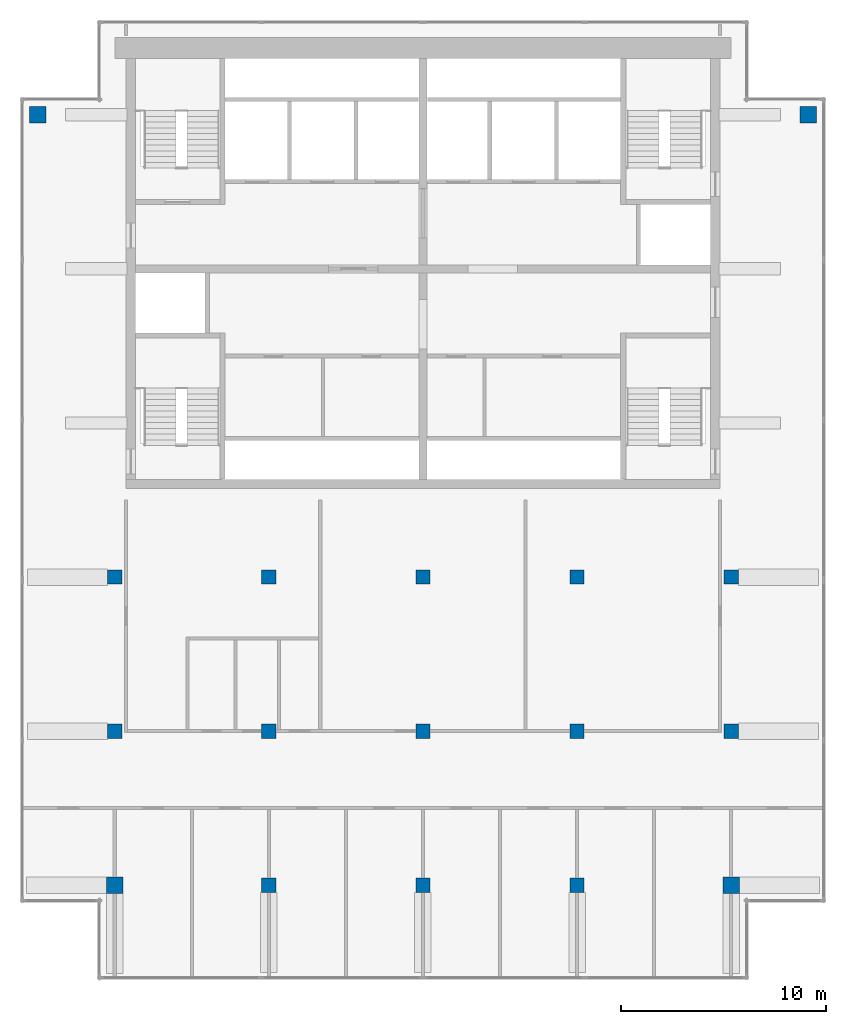
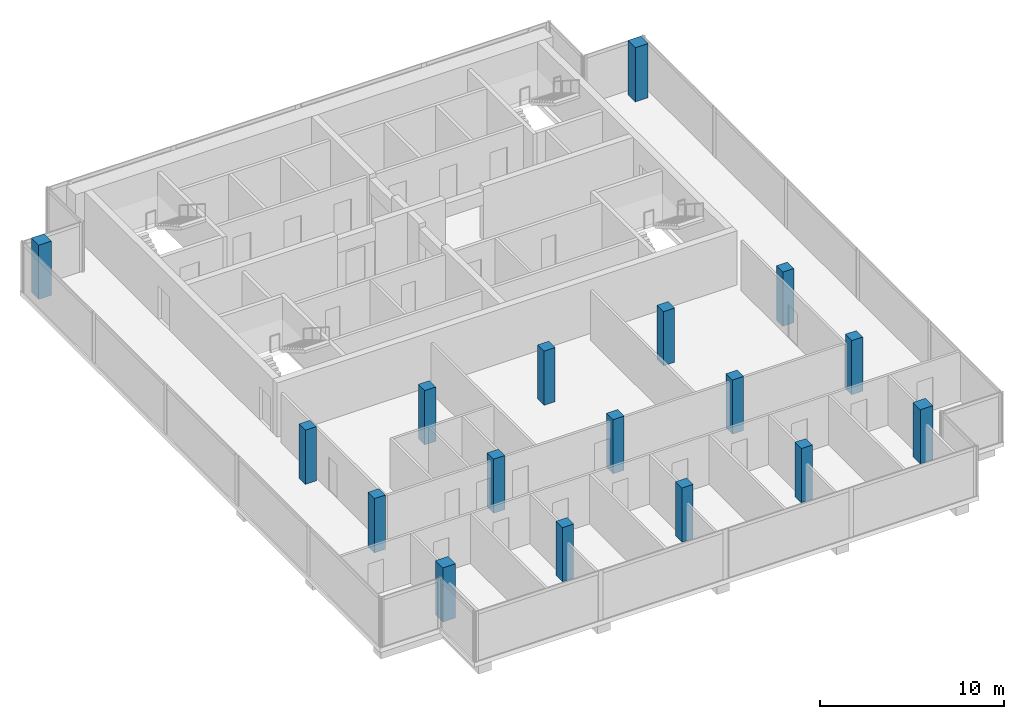
# One storey, part 1 of 8: 17 columns.
"""IFC4 building model written with IfcOpenShell, lengths in metres."""

from ifc_helpers import new_model, si_unit, direction, frame, origin, origin_2d, place, context, subcontext, project, spatial, rectangle, extrude, material, material_profile, profile_set, type_object, element, save


model = new_model("IFC4")

# Units and contexts
model_context = context("Model", 3, precision=1e-05, world=origin(), true_north=direction((0.0, 1.0)))
body_context = subcontext(model_context, "Body", "Model", "MODEL_VIEW")
ifc_project = project(units=[si_unit("LENGTHUNIT", "METRE"), si_unit("AREAUNIT", "SQUARE_METRE"), si_unit("VOLUMEUNIT", "CUBIC_METRE"), si_unit("PLANEANGLEUNIT", "RADIAN"), si_unit("MASSUNIT", "GRAM", prefix="KILO")], contexts=[model_context])

# Site, building, storey
site_placement = place(None, origin())
site = spatial("IfcSite", under=ifc_project, at=site_placement, CompositionType="ELEMENT")
building_placement = place(site_placement, origin())
building = spatial("IfcBuilding", under=site, at=building_placement, Name="Pilkhan Gate Tower", CompositionType="ELEMENT")
storey_placement = place(building_placement, frame((0.0, 0.0, 269.300048828125)))
storey = spatial("IfcBuildingStorey", under=building, at=storey_placement, Name="L70", CompositionType="ELEMENT", Elevation=269.300048828125)

# Columns
ifc_material = material(Name="Concrete C40/50", Category="concrete")
ifc_material_profile_1 = material_profile(ifc_material, rectangle(XDim=0.699951171875, YDim=0.699951171875, at=origin_2d()), Name="RC 700x700")
ifc_profile_set_1 = profile_set([ifc_material_profile_1], Name="Concrete C40/50")
column_type_1 = type_object("IfcColumnType", Name="Column C70 RC 700x700 C40/50", PredefinedType="COLUMN", material=ifc_profile_set_1)
for number, where, z_axis, x_axis, name in (
    (1, (60.0, 60.0, 0.0), (0.0, 0.0, 1.0), (1.0, 0.0, 0.0), "Column 7/F L70"),
    (2, (60.0, 67.5, 0.0), (0.0, 0.0, 1.0), (1.0, 0.0, 0.0), "Column 7/H L70"),
    (3, (67.5, 52.5, 0.0), (0.0, 0.0, 1.0), (1.0, 0.0, 0.0), "Column 9/D L70"),
    (4, (67.5, 60.0, 0.0), (0.0, 0.0, 1.0), (1.0, 0.0, 0.0), "Column 9/F L70"),
    (5, (67.5, 67.5, 0.0), (0.0, 0.0, 1.0), (1.0, 0.0, 0.0), "Column 9/H L70"),
    (6, (75.0, 52.5, 0.0), (0.0, 0.0, 1.0), (1.0, 0.0, 0.0), "Column 11/D L70"),
    (7, (75.0, 60.0, 0.0), (0.0, 0.0, 1.0), (1.0, 0.0, 0.0), "Column 11/F L70"),
    (8, (75.0, 67.5, 0.0), (0.0, 0.0, 1.0), (1.0, 0.0, 0.0), "Column 11/H L70"),
    (9, (82.5, 52.5, 0.0), (0.0, 0.0, 1.0), (1.0, 0.0, 0.0), "Column 13/D L70"),
    (10, (82.5, 60.0, 0.0), (0.0, 0.0, 1.0), (1.0, 0.0, 0.0), "Column 13/F L70"),
    (11, (82.5, 67.5, 0.0), (0.0, 0.0, 1.0), (1.0, 0.0, 0.0), "Column 13/H L70"),
    (12, (90.0, 60.0, 0.0), (0.0, 0.0, 1.0), (1.0, 0.0, 0.0), "Column 15/F L70"),
    (13, (90.0, 67.5, 0.0), (0.0, 0.0, 1.0), (1.0, 0.0, 0.0), "Column 15/H L70"),
):
    element("IfcColumn", number, at=place(storey_placement, frame(where, z_axis=z_axis, x_axis=x_axis)), inside=storey, type_object=column_type_1, Name=name, PredefinedType="COLUMN", context=body_context, shape_type="SweptSolid", body=[
        extrude(rectangle(XDim=0.699951171875, YDim=0.699951171875, at=origin_2d()), origin(), (0.0, 0.0, 1.0), 3.599853515625),
    ])
ifc_material_profile_2 = material_profile(ifc_material, rectangle(XDim=0.800048828125, YDim=0.800048828125, at=origin_2d()), Name="RC 800x800")
ifc_profile_set_2 = profile_set([ifc_material_profile_2], Name="Concrete C40/50")
column_type_2 = type_object("IfcColumnType", Name="Column C80 RC 800x800 C40/50", PredefinedType="COLUMN", material=ifc_profile_set_2)
for number, where, z_axis, x_axis, name in (
    (14, (56.25, 90.0, 0.0), (0.0, 0.0, 1.0), (1.0, 0.0, 0.0), "Column 6/P L70"),
    (15, (60.0, 52.5, 0.0), (0.0, 0.0, 1.0), (1.0, 0.0, 0.0), "Column 7/D L70"),
    (16, (90.0, 52.5, 0.0), (0.0, 0.0, 1.0), (1.0, 0.0, 0.0), "Column 15/D L70"),
    (17, (93.75, 90.0, 0.0), (0.0, 0.0, 1.0), (1.0, 0.0, 0.0), "Column 16/P L70"),
):
    element("IfcColumn", number, at=place(storey_placement, frame(where, z_axis=z_axis, x_axis=x_axis)), inside=storey, type_object=column_type_2, Name=name, PredefinedType="COLUMN", context=body_context, shape_type="SweptSolid", body=[
        extrude(rectangle(XDim=0.800048828125, YDim=0.800048828125, at=origin_2d()), origin(), (0.0, 0.0, 1.0), 3.599853515625),
    ])

save(model, "model.ifc")
